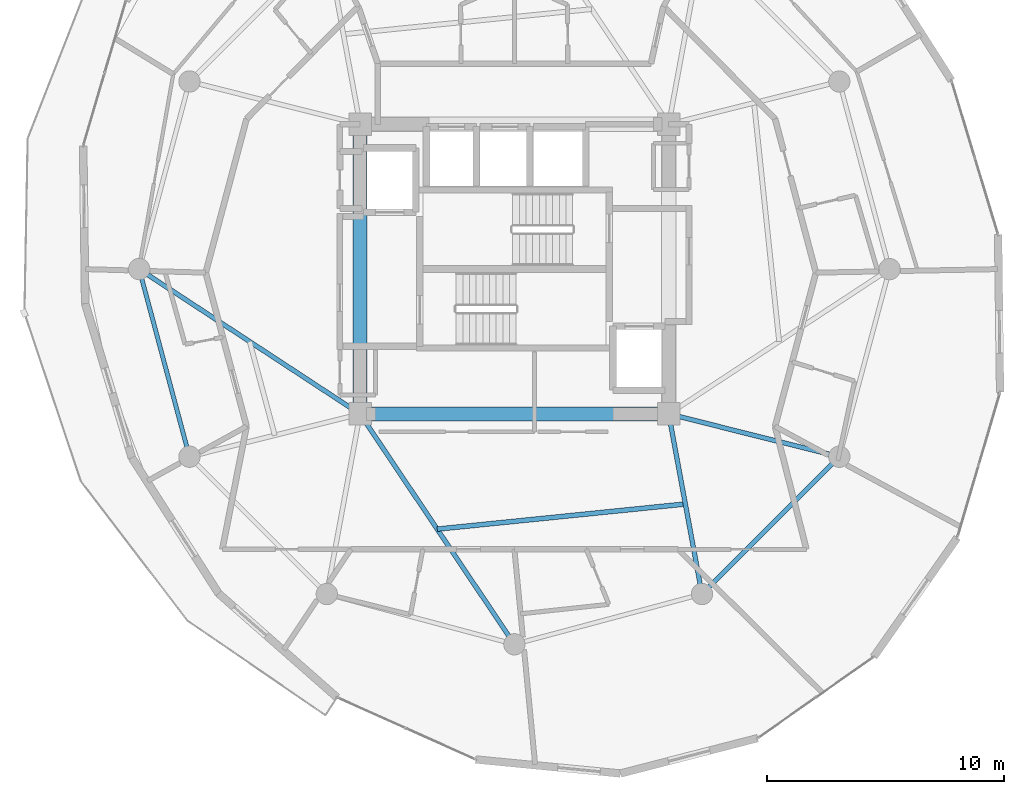
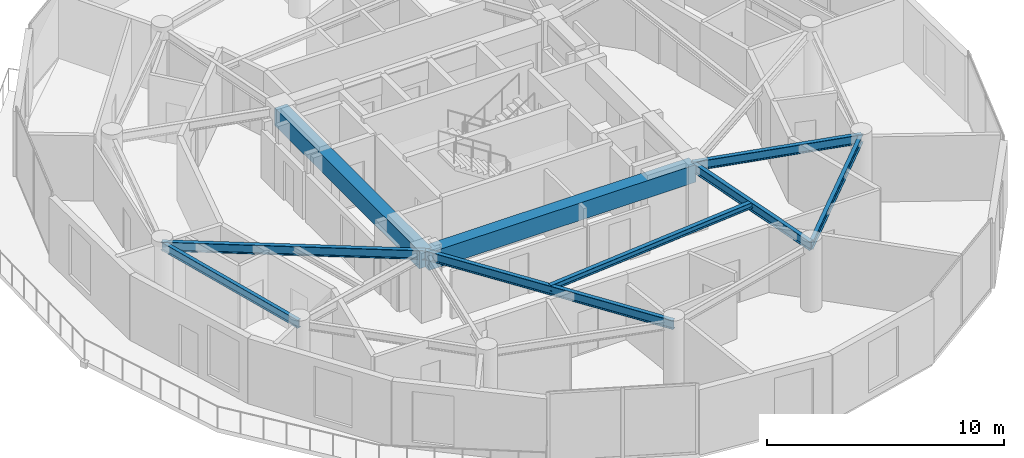
# One storey, part 6 of 21: 9 beams.
"""IFC4 building model written with IfcOpenShell, lengths in metres."""

from ifc_helpers import new_model, si_unit, direction, frame, origin, origin_2d, place, context, subcontext, project, spatial, rectangle, i_section, extrude, material, material_profile, profile_set, type_object, element, save


model = new_model("IFC4")

# Units and contexts
model_context = context("Model", 3, precision=1e-05, world=origin(), true_north=direction((0.0, 1.0)))
body_context = subcontext(model_context, "Body", "Model", "MODEL_VIEW")
ifc_project = project(units=[si_unit("LENGTHUNIT", "METRE"), si_unit("AREAUNIT", "SQUARE_METRE"), si_unit("VOLUMEUNIT", "CUBIC_METRE"), si_unit("PLANEANGLEUNIT", "RADIAN"), si_unit("MASSUNIT", "GRAM", prefix="KILO")], contexts=[model_context])

# Site, building, storey
site_placement = place(None, origin())
site = spatial("IfcSite", under=ifc_project, at=site_placement, CompositionType="ELEMENT")
building_placement = place(site_placement, origin())
building = spatial("IfcBuilding", under=site, at=building_placement, Name="Solvirekh Grand Hotel", CompositionType="ELEMENT")
storey_placement = place(building_placement, frame((0.0, 0.0, 205.60009765625)))
storey = spatial("IfcBuildingStorey", under=building, at=storey_placement, Name="L53", CompositionType="ELEMENT", Elevation=205.60009765625)

# Beams
ifc_material_1 = material(Name="Concrete C50/60", Category="concrete")
ifc_material_profile_1 = material_profile(ifc_material_1, rectangle(XDim=0.60009765625, YDim=0.89990234375, at=origin_2d()), Name="RC BEAM 600X900")
ifc_profile_set_1 = profile_set([ifc_material_profile_1], Name="Concrete C50/60")
beam_type_1 = type_object("IfcBeamType", Name="Beam_Core_RC900", PredefinedType="BEAM", material=ifc_profile_set_1)
beam_1_placement = place(storey_placement, frame((-6.5, -6.10009765625, 2.909912109375), z_axis=(1.0, 0.0, 0.0), x_axis=(0.0, 1.0, 0.0)))
element("IfcBeam", 1, at=beam_1_placement, inside=storey, type_object=beam_type_1, Name="L53 core coupling ring beam 1", PredefinedType="BEAM", context=body_context, shape_type="SweptSolid", body=[
    extrude(rectangle(XDim=0.60009765625, YDim=0.89990234375, at=origin_2d()), origin(), (0.0, 0.0, 1.0), 13.0),
])
beam_2_placement = place(storey_placement, frame((-6.5, 6.10009765625, 2.909912109375), z_axis=(0.0, -1.0, 0.0), x_axis=(1.0, 0.0, 0.0)))
element("IfcBeam", 2, at=beam_2_placement, inside=storey, type_object=beam_type_1, Name="L53 core coupling ring beam 4", PredefinedType="BEAM", context=body_context, shape_type="SweptSolid", body=[
    extrude(rectangle(XDim=0.60009765625, YDim=0.89990234375, at=origin_2d()), origin(), (0.0, 0.0, 1.0), 12.2001953125),
])
ifc_material_2 = material(Name="Steel S355", Category="steel")
ifc_material_profile_2 = material_profile(ifc_material_2, i_section(OverallWidth=0.194091796875, OverallDepth=0.468994140625, WebThickness=0.010986328125, FlangeThickness=0.01904296875, FilletRadius=0.012939453125, at=origin_2d()), Name="W460X106")
ifc_profile_set_2 = profile_set([ifc_material_profile_2], Name="Steel S355")
beam_type_2 = type_object("IfcBeamType", Name="Beam_Radial_W460H", PredefinedType="BEAM", material=ifc_profile_set_2)
beam_3_placement = place(storey_placement, frame((-6.5, -6.10009765625, 3.1259765625), z_axis=(-0.836174064962, 0.548464158432, 0.0), x_axis=(-0.548464158432, -0.836174064962, 0.0)))
element("IfcBeam", 3, at=beam_3_placement, inside=storey, type_object=beam_type_2, Name="L53 radial floor beam R07", PredefinedType="BEAM", context=body_context, shape_type="SweptSolid", body=[
    extrude(i_section(OverallWidth=0.194091796875, OverallDepth=0.468994140625, WebThickness=0.010986328125, FlangeThickness=0.01904296875, FilletRadius=0.012939453125, at=origin_2d()), origin(), (0.0, 0.0, 1.0), 11.1220703125),
])
beam_4_placement = place(storey_placement, frame((-6.5, -6.10009765625, 3.1259765625), z_axis=(0.556676926176, -0.830729077295, 0.0), x_axis=(0.830729077295, 0.556676926176, 0.0)))
element("IfcBeam", 4, at=beam_4_placement, inside=storey, type_object=beam_type_2, Name="L53 radial floor beam R10", PredefinedType="BEAM", context=body_context, shape_type="SweptSolid", body=[
    extrude(i_section(OverallWidth=0.194091796875, OverallDepth=0.468994140625, WebThickness=0.010986328125, FlangeThickness=0.01904296875, FilletRadius=0.012939453125, at=origin_2d()), origin(), (0.0, 0.0, 1.0), 11.676513671875),
])
beam_5_placement = place(storey_placement, frame((6.5, -6.10009765625, 3.1259765625), z_axis=(0.181542769111, -0.983383049978, 0.0), x_axis=(0.983383049978, 0.181542769111, 0.0)))
element("IfcBeam", 5, at=beam_5_placement, inside=storey, type_object=beam_type_2, Name="L53 radial floor beam R11", PredefinedType="BEAM", context=body_context, shape_type="SweptSolid", body=[
    extrude(i_section(OverallWidth=0.194091796875, OverallDepth=0.468994140625, WebThickness=0.010986328125, FlangeThickness=0.01904296875, FilletRadius=0.012939453125, at=origin_2d()), origin(), (0.0, 0.0, 1.0), 7.711181640625),
])
beam_6_placement = place(storey_placement, frame((6.5, -6.10009765625, 3.1259765625), z_axis=(0.970014367692, -0.243047580675, 0.0), x_axis=(0.243047580675, 0.970014367692, 0.0)))
element("IfcBeam", 6, at=beam_6_placement, inside=storey, type_object=beam_type_2, Name="L53 radial floor beam R12", PredefinedType="BEAM", context=body_context, shape_type="SweptSolid", body=[
    extrude(i_section(OverallWidth=0.194091796875, OverallDepth=0.468994140625, WebThickness=0.010986328125, FlangeThickness=0.01904296875, FilletRadius=0.012939453125, at=origin_2d()), origin(), (0.0, 0.0, 1.0), 7.4052734375),
])
ifc_material_profile_3 = material_profile(ifc_material_2, i_section(OverallWidth=0.202880859375, OverallDepth=0.302978515625, WebThickness=0.008056640625, FlangeThickness=0.012939453125, FilletRadius=0.010009765625, at=origin_2d()), Name="W310X60")
ifc_profile_set_3 = profile_set([ifc_material_profile_3], Name="Steel S355")
beam_type_3 = type_object("IfcBeamType", Name="Joist_Floor_W310", PredefinedType="JOIST", material=ifc_profile_set_3)
beam_7_placement = place(storey_placement, frame((-3.25, -10.949951171875, 3.208984375), z_axis=(0.994915167737, 0.100716478326, 0.0), x_axis=(-0.100716478326, 0.994915167737, 0.0)))
element("IfcBeam", 7, at=beam_7_placement, inside=storey, type_object=beam_type_3, Name="L53 secondary composite floor joist 10", PredefinedType="JOIST", context=body_context, shape_type="SweptSolid", body=[
    extrude(i_section(OverallWidth=0.202880859375, OverallDepth=0.302978515625, WebThickness=0.008056640625, FlangeThickness=0.012939453125, FilletRadius=0.010009765625, at=origin_2d()), origin(), (0.0, 0.0, 1.0), 10.50341796875),
])
ifc_material_profile_4 = material_profile(ifc_material_2, i_section(OverallWidth=0.180908203125, OverallDepth=0.4169921875, WebThickness=0.010009765625, FlangeThickness=0.01611328125, FilletRadius=0.011962890625, at=origin_2d()), Name="W410X85")
ifc_profile_set_4 = profile_set([ifc_material_profile_4], Name="Steel S355")
beam_type_4 = type_object("IfcBeamType", Name="Spandrel_Ring_W410", PredefinedType="SPANDREL", material=ifc_profile_set_4)
for number, where, z_axis, x_axis, name in (
    (8, (-15.800048828125, 0.0, 3.15185546875), (0.258838541915, -0.965920601923, 0.0), (0.965920601923, 0.258838541915, 0.0), "L53 perimeter spandrel beam 7"),
    (9, (7.89990234375, -13.68310546875, 3.15185546875), (0.707106781187, 0.707106781187, 0.0), (-0.707106781187, 0.707106781187, 0.0), "L53 perimeter spandrel beam 11"),
):
    element("IfcBeam", number, at=place(storey_placement, frame(where, z_axis=z_axis, x_axis=x_axis)), inside=storey, type_object=beam_type_4, Name=name, PredefinedType="SPANDREL", context=body_context, shape_type="SweptSolid", body=[
        extrude(i_section(OverallWidth=0.180908203125, OverallDepth=0.4169921875, WebThickness=0.010009765625, FlangeThickness=0.01611328125, FilletRadius=0.011962890625, at=origin_2d()), origin(), (0.0, 0.0, 1.0), 8.1787109375),
    ])

save(model, "model.ifc")
